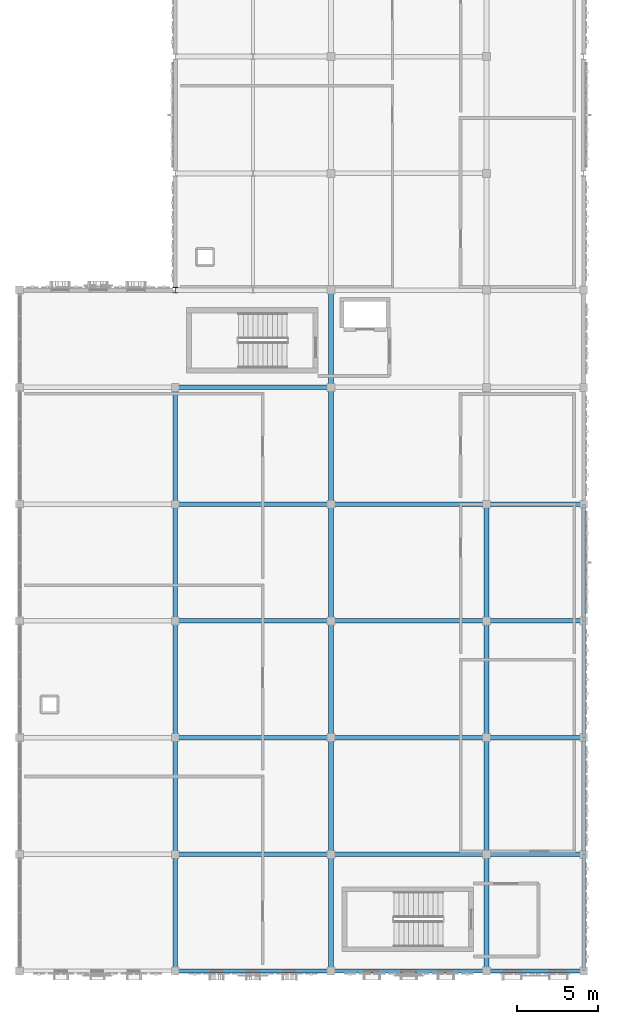
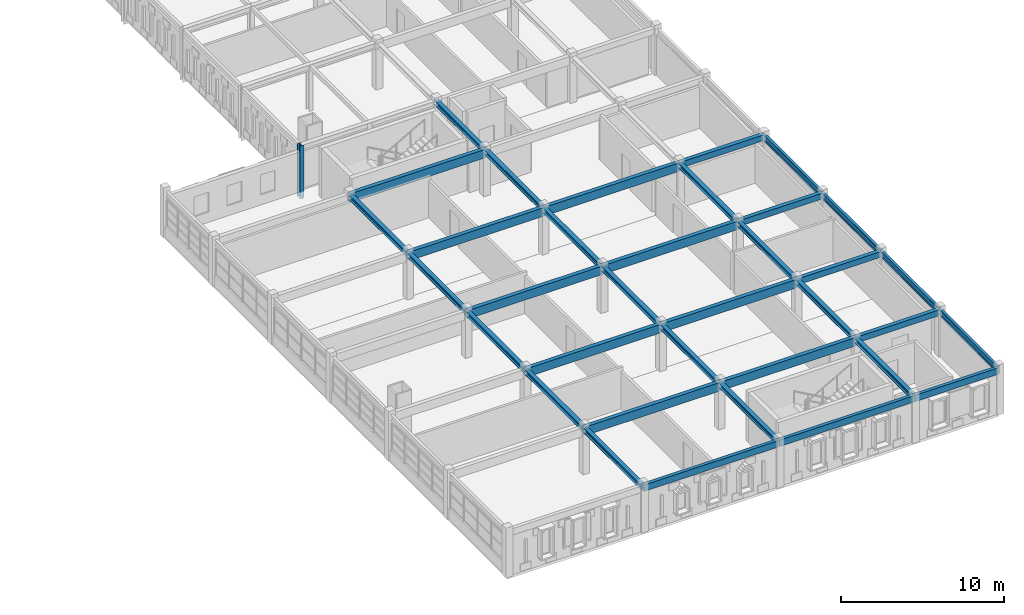
# One storey, part 13 of 53: 35 beams, 1 member.
"""IFC4 building model written with IfcOpenShell, lengths in metres."""

import ifcopenshell
import ifcopenshell.guid

model = None  # the IFC model being written
_history = None  # IfcOwnerHistory: only IFC2X3 demands one
_inside = {}  # id of a spatial element -> (the spatial element, [elements in it])
_under = {}  # id of a project, library or spatial element -> (it, [spatial elements below it])
_declared = {}  # id of a project -> (the project, [libraries it declares])
_typed = {}  # id of a type object -> (the type object, [elements of that type])
_made_of = {}  # id of a material, layer set ... -> (it, [elements and type objects made of it])


def new_model(schema):
    """Start an empty IFC model of exactly this schema.

    Asked for "IFC4X3", IfcOpenShell would pick the latest addendum, in which some entities
    have other attributes; the version numbers below select the first issue.
    IFC2X3 requires an IfcOwnerHistory on every rooted entity: one is made here for all.
    """
    global model, _history
    if schema == "IFC4X3":
        model = ifcopenshell.file(schema_version=(4, 3, 0, 0))
    else:
        model = ifcopenshell.file(schema=schema)
    _inside.clear()
    _under.clear()
    _declared.clear()
    _typed.clear()
    _made_of.clear()
    _history = None
    if model.schema == "IFC2X3":
        org = make("IfcOrganization", Name="unknown")
        user = make(
            "IfcPersonAndOrganization",
            ThePerson=make("IfcPerson", FamilyName="unknown"),
            TheOrganization=org,
        )
        app = make(
            "IfcApplication",
            ApplicationDeveloper=org,
            Version="unknown",
            ApplicationFullName="unknown",
            ApplicationIdentifier="unknown",
        )
        _history = make(
            "IfcOwnerHistory",
            OwningUser=user,
            OwningApplication=app,
            ChangeAction="ADDED",
            CreationDate=0,
        )
    return model


def make(cls, **values):
    """One entity of the class cls with the attributes given. An attribute that is None is left unset."""
    return model.create_entity(
        cls, **{name: value for name, value in values.items() if value is not None}
    )


def rooted(cls, **values):
    """An entity with a GlobalId (a new one), such as an element, a storey or a relation."""
    return make(cls, GlobalId=ifcopenshell.guid.new(), OwnerHistory=_history, **values)


def si_unit(unit_type, name, prefix=None):
    """IfcSIUnit, for example si_unit("LENGTHUNIT", "METRE", prefix="MILLI")."""
    return make("IfcSIUnit", UnitType=unit_type, Prefix=prefix, Name=name)


def assignment(units):
    """IfcUnitAssignment: the units of a project."""
    return None if units is None else make("IfcUnitAssignment", Units=units)


def point(xyz):
    """IfcCartesianPoint."""
    return None if xyz is None else make("IfcCartesianPoint", Coordinates=xyz)


def direction(xyz):
    """IfcDirection."""
    return None if xyz is None else make("IfcDirection", DirectionRatios=xyz)


def frame(location, z_axis=None, x_axis=None):
    """IfcAxis2Placement3D, a coordinate frame: its origin and axes. An axis left out is left unset."""
    return make(
        "IfcAxis2Placement3D",
        Location=point(location),
        Axis=direction(z_axis),
        RefDirection=direction(x_axis),
    )


def frame_2d(location, x_axis=None):
    """IfcAxis2Placement2D, a coordinate frame in the plane: its origin and x axis."""
    return make(
        "IfcAxis2Placement2D", Location=point(location), RefDirection=direction(x_axis)
    )


def origin():
    """The frame at (0, 0, 0) with its axes left unset."""
    return frame((0.0, 0.0, 0.0))


def origin_2d():
    """The frame at (0, 0) in the plane with its x axis left unset."""
    return frame_2d((0.0, 0.0))


def place(relative_to, where):
    """IfcLocalPlacement: puts the frame where relative to a parent placement (None: the world)."""
    return make(
        "IfcLocalPlacement", PlacementRelTo=relative_to, RelativePlacement=where
    )


def context(
    kind, dimensions, precision=None, world=None, true_north=None, identifier=None
):
    """IfcGeometricRepresentationContext, for example the 3D "Model" context."""
    return make(
        "IfcGeometricRepresentationContext",
        ContextIdentifier=identifier,
        ContextType=kind,
        CoordinateSpaceDimension=dimensions,
        Precision=precision,
        WorldCoordinateSystem=world,
        TrueNorth=true_north,
    )


def subcontext(parent, identifier, kind, view, scale=None):
    """IfcGeometricRepresentationSubContext, for example "Body" below "Model"."""
    return make(
        "IfcGeometricRepresentationSubContext",
        ContextIdentifier=identifier,
        ContextType=kind,
        ParentContext=parent,
        TargetScale=scale,
        TargetView=view,
    )


def project(units=None, contexts=None):
    """IfcProject with its units and contexts."""
    return rooted(
        "IfcProject",
        Name="project",
        RepresentationContexts=contexts,
        UnitsInContext=assignment(units),
    )


def spatial(cls, under=None, at=None, **own):
    """A site, building, storey or space (cls), placed at a placement, below another one or the project."""
    s = rooted(cls, ObjectPlacement=at, **own)
    if under is not None:
        _under.setdefault(under.id(), (under, []))[1].append(s)
    return s


def profile(cls, at=None, kind="AREA", **sizes):
    """A parametric profile (cls). Its sizes go by their IFC names, for example OverallWidth=200.0."""
    return make(cls, ProfileType=kind, Position=at, **sizes)


def rectangle(**sizes):
    """IfcRectangleProfileDef."""
    return profile("IfcRectangleProfileDef", **sizes)


def i_section(**sizes):
    """IfcIShapeProfileDef."""
    return profile("IfcIShapeProfileDef", **sizes)


def extrude(swept, where, along, depth):
    """IfcExtrudedAreaSolid: the profile swept, set in the frame where, extruded along a direction by depth."""
    return make(
        "IfcExtrudedAreaSolid",
        SweptArea=swept,
        Position=where,
        ExtrudedDirection=direction(along),
        Depth=depth,
    )


def shape(context_of_items, identifier, shape_type, items):
    """IfcShapeRepresentation: the items that make up one representation, for example the "Body"."""
    return make(
        "IfcShapeRepresentation",
        ContextOfItems=context_of_items,
        RepresentationIdentifier=identifier,
        RepresentationType=shape_type,
        Items=items,
    )


def material(Name=None, Category=None):
    """IfcMaterial."""
    return make("IfcMaterial", Name=Name, Category=Category)


def material_profile(
    of_material, cross_section, Name=None, Category=None, Priority=None
):
    """IfcMaterialProfile: a cross section and its material."""
    return make(
        "IfcMaterialProfile",
        Name=Name,
        Material=of_material,
        Profile=cross_section,
        Priority=Priority,
        Category=Category,
    )


def profile_set(profiles, Name=None, composite=None):
    """IfcMaterialProfileSet."""
    return make(
        "IfcMaterialProfileSet",
        Name=Name,
        MaterialProfiles=profiles,
        CompositeProfile=composite,
    )


def made_of(thing, what):
    """Note that an element or type object is made of a material, layer set ...; save() writes the relation."""
    if what is not None:
        _made_of.setdefault(what.id(), (what, []))[1].append(thing)
    return thing


def type_object(cls, material=None, **own):
    """A type object (cls), such as IfcWallType, which elements share."""
    return made_of(rooted(cls, **own), material)


def element(
    cls,
    number,
    at=None,
    inside=None,
    cuts=None,
    type_object=None,
    material=None,
    context=None,
    identifier="Body",
    shape_type=None,
    held_by="IfcProductDefinitionShape",
    body=None,
    shapes=None,
    **own,
):
    """One element of the class cls, such as IfcWall. Its Tag is "e" and its number.

    at: its placement. inside: the storey or other place that contains it. cuts: it is an
    opening in that element (IfcRelVoidsElement). A single representation is given by context,
    identifier, shape_type and body (its items); several are given by shapes. held_by: the class
    of the entity that holds the representations. save() writes the other relations.
    """
    e = rooted(cls, Tag="e%d" % number, ObjectPlacement=at, **own)
    if body is not None:
        shapes = [shape(context, identifier, shape_type, body)]
    if shapes is not None:
        e.Representation = make(held_by, Representations=shapes)
    if inside is not None:
        _inside.setdefault(inside.id(), (inside, []))[1].append(e)
    if cuts is not None:
        rooted(
            "IfcRelVoidsElement", RelatingBuildingElement=cuts, RelatedOpeningElement=e
        )
    if type_object is not None:
        _typed.setdefault(type_object.id(), (type_object, []))[1].append(e)
    return made_of(e, material)


def aggregate(whole, parts):
    """IfcRelAggregates: a whole, such as a stair, and the parts it consists of."""
    return rooted("IfcRelAggregates", RelatingObject=whole, RelatedObjects=parts)


def save(model, path):
    """Write the relations noted so far, then the file.

    IfcRelAggregates (storeys below a building ...), IfcRelContainedInSpatialStructure (elements
    in a storey), IfcRelDefinesByType, IfcRelAssociatesMaterial and IfcRelDeclares: one each for
    every whole, place, type object, material and project.
    """
    for whole, parts in _under.values():
        aggregate(whole, parts)
    for where, things in _inside.values():
        rooted(
            "IfcRelContainedInSpatialStructure",
            RelatedElements=things,
            RelatingStructure=where,
        )
    for kind, things in _typed.values():
        rooted("IfcRelDefinesByType", RelatedObjects=things, RelatingType=kind)
    for what, things in _made_of.values():
        rooted("IfcRelAssociatesMaterial", RelatedObjects=things, RelatingMaterial=what)
    for by, libraries in _declared.values():
        rooted("IfcRelDeclares", RelatingContext=by, RelatedDefinitions=libraries)
    model.write(path)


model = new_model("IFC4")

# Units and contexts
model_context = context("Model", 3, precision=1e-05, world=origin(), true_north=direction((0.0, 1.0)))
body_context = subcontext(model_context, "Body", "Model", "MODEL_VIEW")
ifc_project = project(units=[si_unit("LENGTHUNIT", "METRE"), si_unit("AREAUNIT", "SQUARE_METRE"), si_unit("VOLUMEUNIT", "CUBIC_METRE"), si_unit("PLANEANGLEUNIT", "RADIAN"), si_unit("MASSUNIT", "GRAM", prefix="KILO")], contexts=[model_context])

# Site, building, storey
site_placement = place(None, origin())
site = spatial("IfcSite", under=ifc_project, at=site_placement, CompositionType="ELEMENT")
building_placement = place(site_placement, origin())
building = spatial("IfcBuilding", under=site, at=building_placement, Name="Nzembalo Square Collegiate School", CompositionType="ELEMENT")
storey_placement = place(building_placement, frame((0.0, 0.0, 13.60009765625)))
storey = spatial("IfcBuildingStorey", under=building, at=storey_placement, Name="L03", CompositionType="ELEMENT", Elevation=13.60009765625)

# Beams
ifc_material_1 = material(Name="Glulam GL32h", Category="wood")
ifc_material_profile_1 = material_profile(ifc_material_1, rectangle(XDim=0.280029296875, YDim=0.639892578125, at=origin_2d()), Name="GL32h 280x640")
ifc_profile_set_1 = profile_set([ifc_material_profile_1], Name="Glulam GL32h")
beam_type_1 = type_object("IfcBeamType", Name="B04", PredefinedType="BEAM", material=ifc_profile_set_1)
for number, where, z_axis, x_axis, name in (
    (1, (140.39990234375, 15.60009765625, 3.135009765625), (1.0, 0.0, 0.0), (0.0, 1.0, 0.0), "Beam B04 L03"),
    (2, (150.0, 15.60009765625, 3.135009765625), (1.0, 0.0, 0.0), (0.0, 1.0, 0.0), "Beam B04 L03"),
    (3, (140.39990234375, 22.800048828125, 3.135009765625), (1.0, 0.0, 0.0), (0.0, 1.0, 0.0), "Beam B04 L03"),
    (4, (150.0, 22.800048828125, 3.135009765625), (1.0, 0.0, 0.0), (0.0, 1.0, 0.0), "Beam B04 L03"),
    (5, (140.39990234375, 30.0, 3.135009765625), (1.0, 0.0, 0.0), (0.0, 1.0, 0.0), "Beam B04 L03"),
    (6, (150.0, 30.0, 3.135009765625), (1.0, 0.0, 0.0), (0.0, 1.0, 0.0), "Beam B04 L03"),
    (7, (140.39990234375, 37.199951171875, 3.135009765625), (1.0, 0.0, 0.0), (0.0, 1.0, 0.0), "Beam B04 L03"),
    (8, (150.0, 37.199951171875, 3.135009765625), (1.0, 0.0, 0.0), (0.0, 1.0, 0.0), "Beam B04 L03"),
    (9, (140.39990234375, 44.39990234375, 3.135009765625), (1.0, 0.0, 0.0), (0.0, 1.0, 0.0), "Beam B04 L03"),
):
    element("IfcBeam", number, at=place(storey_placement, frame(where, z_axis=z_axis, x_axis=x_axis)), inside=storey, type_object=beam_type_1, Name=name, PredefinedType="BEAM", context=body_context, shape_type="SweptSolid", body=[
        extrude(rectangle(XDim=0.280029296875, YDim=0.639892578125, at=origin_2d()), origin(), (0.0, 0.0, 1.0), 9.60009765625),
    ])
ifc_material_2 = material(Name="Steel S355", Category="steel")
ifc_material_profile_2 = material_profile(ifc_material_2, i_section(OverallWidth=0.18994140625, OverallDepth=0.449951171875, WebThickness=0.009521484375, FlangeThickness=0.0146484375, at=origin_2d()), Name="IPE 450")
ifc_profile_set_2 = profile_set([ifc_material_profile_2], Name="Steel S355")
beam_type_2 = type_object("IfcBeamType", Name="B09", PredefinedType="BEAM", material=ifc_profile_set_2)
beam_1_placement = place(storey_placement, frame((165.60009765625, 8.39990234375, 3.22998046875), z_axis=(0.0, 1.0, 0.0), x_axis=(-1.0, 0.0, 0.0)))
element("IfcBeam", 10, at=beam_1_placement, inside=storey, type_object=beam_type_2, Name="Beam B09 L03", PredefinedType="BEAM", context=body_context, shape_type="SweptSolid", body=[
    extrude(i_section(OverallWidth=0.18994140625, OverallDepth=0.449951171875, WebThickness=0.009521484375, FlangeThickness=0.0146484375, at=origin_2d()), origin(), (0.0, 0.0, 1.0), 7.2001953125),
])
for number, where, z_axis, x_axis, name in (
    (11, (165.60009765625, 15.60009765625, 3.22998046875), (0.0, 1.0, 0.0), (-1.0, 0.0, 0.0), "Beam B09 L03"),
    (12, (165.60009765625, 22.800048828125, 3.22998046875), (0.0, 1.0, 0.0), (-1.0, 0.0, 0.0), "Beam B09 L03"),
    (13, (165.60009765625, 30.0, 3.22998046875), (0.0, 1.0, 0.0), (-1.0, 0.0, 0.0), "Beam B09 L03"),
):
    element("IfcBeam", number, at=place(storey_placement, frame(where, z_axis=z_axis, x_axis=x_axis)), inside=storey, type_object=beam_type_2, Name=name, PredefinedType="BEAM", context=body_context, shape_type="SweptSolid", body=[
        extrude(i_section(OverallWidth=0.18994140625, OverallDepth=0.449951171875, WebThickness=0.009521484375, FlangeThickness=0.0146484375, at=origin_2d()), origin(), (0.0, 0.0, 1.0), 7.199951171875),
    ])
ifc_material_3 = material(Name="Steel S355", Category="steel")
ifc_material_profile_3 = material_profile(ifc_material_3, i_section(OverallWidth=0.300048828125, OverallDepth=0.35009765625, WebThickness=0.010009765625, FlangeThickness=0.017578125, at=origin_2d()), Name="HEA 360")
ifc_profile_set_3 = profile_set([ifc_material_profile_3], Name="Steel S355")
beam_type_3 = type_object("IfcBeamType", Name="B12", PredefinedType="BEAM", material=ifc_profile_set_3)
beam_2_placement = place(storey_placement, frame((140.39990234375, 8.39990234375, 3.27978515625), z_axis=(0.0, 1.0, 0.0), x_axis=(-1.0, 0.0, 0.0)))
element("IfcBeam", 14, at=beam_2_placement, inside=storey, type_object=beam_type_3, Name="Beam B12 L03", PredefinedType="BEAM", context=body_context, shape_type="SweptSolid", body=[
    extrude(i_section(OverallWidth=0.300048828125, OverallDepth=0.35009765625, WebThickness=0.010009765625, FlangeThickness=0.017578125, at=origin_2d()), origin(), (0.0, 0.0, 1.0), 7.2001953125),
])
for number, where, z_axis, x_axis, name in (
    (15, (140.39990234375, 15.60009765625, 3.27978515625), (0.0, 1.0, 0.0), (-1.0, 0.0, 0.0), "Beam B12 L03"),
    (16, (140.39990234375, 22.800048828125, 3.27978515625), (0.0, 1.0, 0.0), (-1.0, 0.0, 0.0), "Beam B12 L03"),
    (17, (140.39990234375, 30.0, 3.27978515625), (0.0, 1.0, 0.0), (-1.0, 0.0, 0.0), "Beam B12 L03"),
    (18, (140.39990234375, 37.199951171875, 3.27978515625), (0.0, 1.0, 0.0), (-1.0, 0.0, 0.0), "Beam B12 L03"),
):
    element("IfcBeam", number, at=place(storey_placement, frame(where, z_axis=z_axis, x_axis=x_axis)), inside=storey, type_object=beam_type_3, Name=name, PredefinedType="BEAM", context=body_context, shape_type="SweptSolid", body=[
        extrude(i_section(OverallWidth=0.300048828125, OverallDepth=0.35009765625, WebThickness=0.010009765625, FlangeThickness=0.017578125, at=origin_2d()), origin(), (0.0, 0.0, 1.0), 7.199951171875),
    ])
beam_3_placement = place(storey_placement, frame((150.0, 8.39990234375, 3.27978515625), z_axis=(0.0, 1.0, 0.0), x_axis=(-1.0, 0.0, 0.0)))
element("IfcBeam", 19, at=beam_3_placement, inside=storey, type_object=beam_type_3, Name="Beam B12 L03", PredefinedType="BEAM", context=body_context, shape_type="SweptSolid", body=[
    extrude(i_section(OverallWidth=0.300048828125, OverallDepth=0.35009765625, WebThickness=0.010009765625, FlangeThickness=0.017578125, at=origin_2d()), origin(), (0.0, 0.0, 1.0), 7.2001953125),
])
for number, where, z_axis, x_axis, name in (
    (20, (150.0, 15.60009765625, 3.27978515625), (0.0, 1.0, 0.0), (-1.0, 0.0, 0.0), "Beam B12 L03"),
    (21, (150.0, 22.800048828125, 3.27978515625), (0.0, 1.0, 0.0), (-1.0, 0.0, 0.0), "Beam B12 L03"),
    (22, (150.0, 30.0, 3.27978515625), (0.0, 1.0, 0.0), (-1.0, 0.0, 0.0), "Beam B12 L03"),
    (23, (150.0, 37.199951171875, 3.27978515625), (0.0, 1.0, 0.0), (-1.0, 0.0, 0.0), "Beam B12 L03"),
):
    element("IfcBeam", number, at=place(storey_placement, frame(where, z_axis=z_axis, x_axis=x_axis)), inside=storey, type_object=beam_type_3, Name=name, PredefinedType="BEAM", context=body_context, shape_type="SweptSolid", body=[
        extrude(i_section(OverallWidth=0.300048828125, OverallDepth=0.35009765625, WebThickness=0.010009765625, FlangeThickness=0.017578125, at=origin_2d()), origin(), (0.0, 0.0, 1.0), 7.199951171875),
    ])
beam_4_placement = place(storey_placement, frame((150.0, 44.39990234375, 3.27978515625), z_axis=(0.0, 1.0, 0.0), x_axis=(-1.0, 0.0, 0.0)))
element("IfcBeam", 24, at=beam_4_placement, inside=storey, type_object=beam_type_3, Name="Beam B12 L03", PredefinedType="BEAM", context=body_context, shape_type="SweptSolid", body=[
    extrude(i_section(OverallWidth=0.300048828125, OverallDepth=0.35009765625, WebThickness=0.010009765625, FlangeThickness=0.017578125, at=origin_2d()), origin(), (0.0, 0.0, 1.0), 6.0),
])
beam_5_placement = place(storey_placement, frame((159.60009765625, 8.39990234375, 3.27978515625), z_axis=(0.0, 1.0, 0.0), x_axis=(-1.0, 0.0, 0.0)))
element("IfcBeam", 25, at=beam_5_placement, inside=storey, type_object=beam_type_3, Name="Beam B12 L03", PredefinedType="BEAM", context=body_context, shape_type="SweptSolid", body=[
    extrude(i_section(OverallWidth=0.300048828125, OverallDepth=0.35009765625, WebThickness=0.010009765625, FlangeThickness=0.017578125, at=origin_2d()), origin(), (0.0, 0.0, 1.0), 7.2001953125),
])
for number, where, z_axis, x_axis, name in (
    (26, (159.60009765625, 15.60009765625, 3.27978515625), (0.0, 1.0, 0.0), (-1.0, 0.0, 0.0), "Beam B12 L03"),
    (27, (159.60009765625, 22.800048828125, 3.27978515625), (0.0, 1.0, 0.0), (-1.0, 0.0, 0.0), "Beam B12 L03"),
    (28, (159.60009765625, 30.0, 3.27978515625), (0.0, 1.0, 0.0), (-1.0, 0.0, 0.0), "Beam B12 L03"),
):
    element("IfcBeam", number, at=place(storey_placement, frame(where, z_axis=z_axis, x_axis=x_axis)), inside=storey, type_object=beam_type_3, Name=name, PredefinedType="BEAM", context=body_context, shape_type="SweptSolid", body=[
        extrude(i_section(OverallWidth=0.300048828125, OverallDepth=0.35009765625, WebThickness=0.010009765625, FlangeThickness=0.017578125, at=origin_2d()), origin(), (0.0, 0.0, 1.0), 7.199951171875),
    ])
ifc_material_4 = material(Name="Glulam GL32h", Category="wood")
ifc_material_profile_4 = material_profile(ifc_material_4, rectangle(XDim=0.280029296875, YDim=0.43994140625, at=origin_2d()), Name="GL32h 280x440")
ifc_profile_set_4 = profile_set([ifc_material_profile_4], Name="Glulam GL32h")
beam_type_4 = type_object("IfcBeamType", Name="B14", PredefinedType="BEAM", material=ifc_profile_set_4)
for number, where, z_axis, x_axis, name in (
    (29, (159.60009765625, 15.60009765625, 3.23486328125), (1.0, 0.0, 0.0), (0.0, 1.0, 0.0), "Beam B14 L03"),
    (30, (159.60009765625, 22.800048828125, 3.23486328125), (1.0, 0.0, 0.0), (0.0, 1.0, 0.0), "Beam B14 L03"),
    (31, (159.60009765625, 30.0, 3.23486328125), (1.0, 0.0, 0.0), (0.0, 1.0, 0.0), "Beam B14 L03"),
    (32, (159.60009765625, 37.199951171875, 3.23486328125), (1.0, 0.0, 0.0), (0.0, 1.0, 0.0), "Beam B14 L03"),
):
    element("IfcBeam", number, at=place(storey_placement, frame(where, z_axis=z_axis, x_axis=x_axis)), inside=storey, type_object=beam_type_4, Name=name, PredefinedType="BEAM", context=body_context, shape_type="SweptSolid", body=[
        extrude(rectangle(XDim=0.280029296875, YDim=0.43994140625, at=origin_2d()), origin(), (0.0, 0.0, 1.0), 6.0),
    ])
ifc_material_5 = material(Name="Glulam GL28h", Category="wood")
ifc_material_profile_5 = material_profile(ifc_material_5, rectangle(XDim=0.239990234375, YDim=0.47998046875, at=origin_2d()), Name="GL28h 240x480")
ifc_profile_set_5 = profile_set([ifc_material_profile_5], Name="Glulam GL28h")
beam_type_5 = type_object("IfcBeamType", Name="SP02", PredefinedType="SPANDREL", material=ifc_profile_set_5)
for number, where, z_axis, x_axis, name in (
    (33, (140.39990234375, 8.39990234375, 3.21484375), (1.0, 0.0, 0.0), (0.0, 1.0, 0.0), "Beam SP02 L03"),
    (34, (150.0, 8.39990234375, 3.21484375), (1.0, 0.0, 0.0), (0.0, 1.0, 0.0), "Beam SP02 L03"),
):
    element("IfcBeam", number, at=place(storey_placement, frame(where, z_axis=z_axis, x_axis=x_axis)), inside=storey, type_object=beam_type_5, Name=name, PredefinedType="SPANDREL", context=body_context, shape_type="SweptSolid", body=[
        extrude(rectangle(XDim=0.239990234375, YDim=0.47998046875, at=origin_2d()), origin(), (0.0, 0.0, 1.0), 9.60009765625),
    ])
beam_6_placement = place(storey_placement, frame((159.60009765625, 8.39990234375, 3.21484375), z_axis=(1.0, 0.0, 0.0), x_axis=(0.0, 1.0, 0.0)))
element("IfcBeam", 35, at=beam_6_placement, inside=storey, type_object=beam_type_5, Name="Beam SP02 L03", PredefinedType="SPANDREL", context=body_context, shape_type="SweptSolid", body=[
    extrude(rectangle(XDim=0.239990234375, YDim=0.47998046875, at=origin_2d()), origin(), (0.0, 0.0, 1.0), 6.0),
])

# Member
ifc_material_6 = material(Name="Steel S355", Category="steel")
ifc_material_profile_6 = material_profile(ifc_material_6, i_section(OverallWidth=0.300048828125, OverallDepth=0.340087890625, WebThickness=0.011962890625, FlangeThickness=0.021484375, at=origin_2d()), Name="HEB 340")
ifc_profile_set_6 = profile_set([ifc_material_profile_6], Name="Steel S355")
member_type = type_object("IfcMemberType", Name="TP03", PredefinedType="POST", material=ifc_profile_set_6)
member_placement = place(storey_placement, frame((140.39990234375, 50.39990234375, -0.52001953125), z_axis=(0.0, 0.0, 1.0), x_axis=(1.0, 0.0, 0.0)))
element("IfcMember", 36, at=member_placement, inside=storey, type_object=member_type, Name="TT-4B-01 upper pavilion post L03-4", PredefinedType="POST", context=body_context, shape_type="SweptSolid", body=[
    extrude(i_section(OverallWidth=0.300048828125, OverallDepth=0.340087890625, WebThickness=0.011962890625, FlangeThickness=0.021484375, at=origin_2d()), origin(), (0.0, 0.0, 1.0), 3.974853515625),
])

save(model, "model.ifc")
